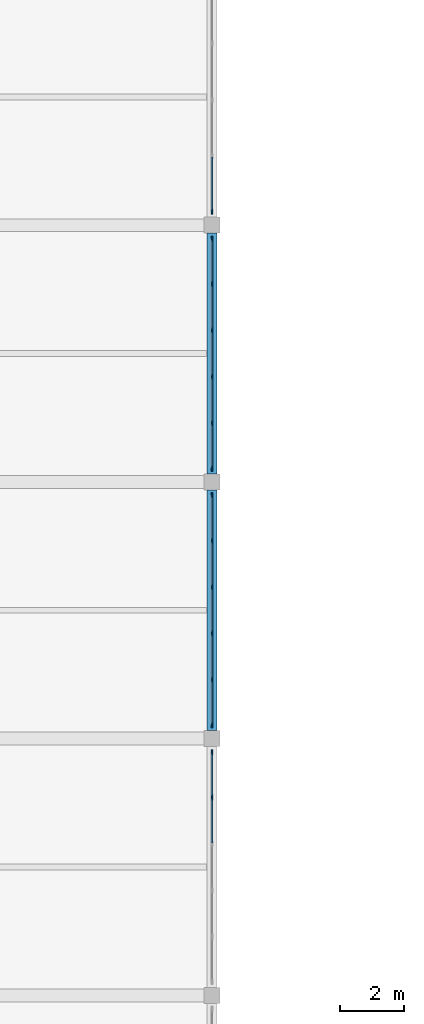
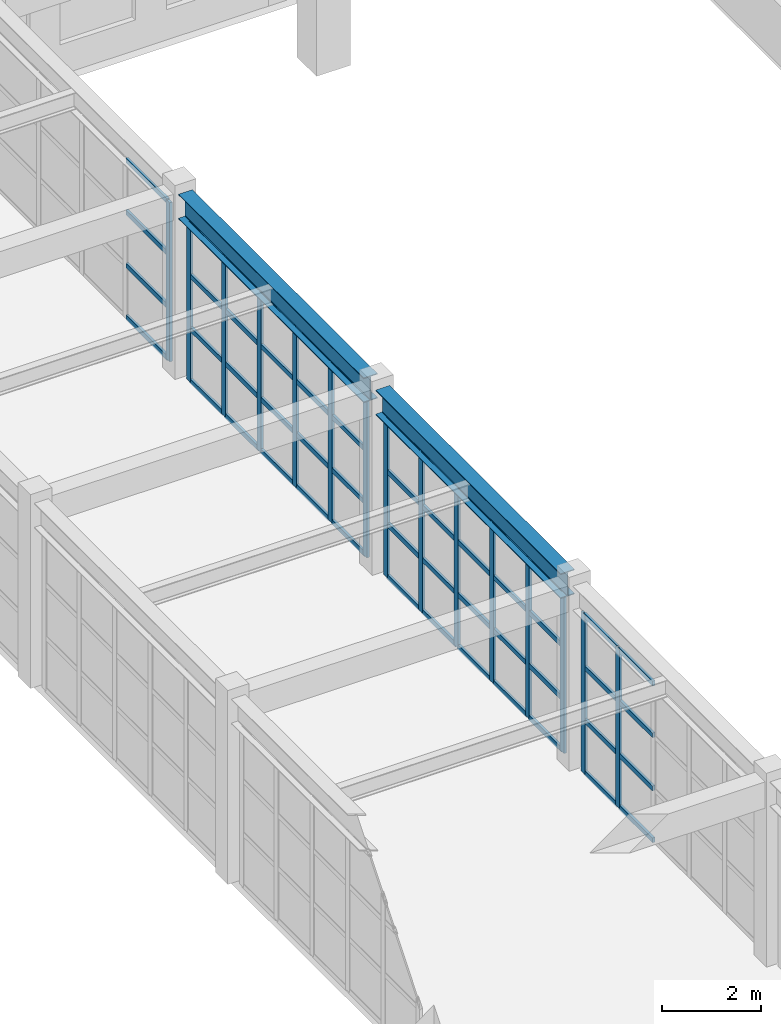
# One storey, part 25 of 59: 67 members, 2 beams, 4 elements without a shape of their own.
"""IFC4 building model written with IfcOpenShell, lengths in metres."""

from ifc_helpers import new_model, si_unit, direction, frame, origin, origin_2d, place, context, subcontext, project, spatial, rectangle, i_section, extrude, material, material_profile, profile_set, type_object, element, aggregate, save


model = new_model("IFC4")

# Units and contexts
model_context = context("Model", 3, precision=1e-05, world=origin(), true_north=direction((0.0, 1.0)))
body_context = subcontext(model_context, "Body", "Model", "MODEL_VIEW")
ifc_project = project(units=[si_unit("LENGTHUNIT", "METRE"), si_unit("AREAUNIT", "SQUARE_METRE"), si_unit("VOLUMEUNIT", "CUBIC_METRE"), si_unit("PLANEANGLEUNIT", "RADIAN"), si_unit("MASSUNIT", "GRAM", prefix="KILO")], contexts=[model_context])

# Site, building, storey
site_placement = place(None, origin())
site = spatial("IfcSite", under=ifc_project, at=site_placement, CompositionType="ELEMENT")
building_placement = place(site_placement, origin())
building = spatial("IfcBuilding", under=site, at=building_placement, Name="Serraluz Foothill Cableway Terminal", CompositionType="ELEMENT")
storey_placement = place(building_placement, frame((0.0, 0.0, 4.800048828125)))
storey = spatial("IfcBuildingStorey", under=building, at=storey_placement, Name="L01", CompositionType="ELEMENT", Elevation=4.800048828125)

# Beams
ifc_material_1 = material(Name="Steel ASTM A992 Grade 50", Category="steel")
ifc_material_profile_1 = material_profile(ifc_material_1, i_section(OverallWidth=0.324951171875, OverallDepth=0.615966796875, WebThickness=0.013916015625, FlangeThickness=0.021484375, FilletRadius=0.01806640625, at=origin_2d()), Name="W24X117")
ifc_profile_set_1 = profile_set([ifc_material_profile_1], Name="Steel ASTM A992 Grade 50")
beam_type = type_object("IfcBeamType", Name="TYP-BM-W24X117", PredefinedType="BEAM", material=ifc_profile_set_1)
for number, where, z_axis, x_axis, name in (
    (1, (128.0, 32.24609375, 4.251953125), (0.0, 1.0, 0.0), (-1.0, 0.0, 0.0), "Transverse Girder BM-Y-L01-0284"),
    (2, (128.0, 40.24609375, 4.251953125), (0.0, 1.0, 0.0), (-1.0, 0.0, 0.0), "Transverse Girder BM-Y-L01-0285"),
):
    element("IfcBeam", number, at=place(storey_placement, frame(where, z_axis=z_axis, x_axis=x_axis)), inside=storey, type_object=beam_type, Name=name, PredefinedType="BEAM", context=body_context, shape_type="SweptSolid", body=[
        extrude(i_section(OverallWidth=0.324951171875, OverallDepth=0.615966796875, WebThickness=0.013916015625, FlangeThickness=0.021484375, FilletRadius=0.01806640625, at=origin_2d()), origin(), (0.0, 0.0, 1.0), 7.5078125),
    ])

# Curtain wall, members
ifc_material_2 = material(Name="Architectural bronze alloy C28000", Category="aluminium")
curtain_wall_type = type_object("IfcCurtainWallType", Name="TYP-CW-710X420", PredefinedType="NOTDEFINED", material=ifc_material_2)
curtain_wall_1_placement = place(storey_placement, origin())
curtain_wall_1 = element("IfcCurtainWall", 3, at=curtain_wall_1_placement, inside=storey, type_object=curtain_wall_type, Name="Ribbed Glazed Curtain Wall CW-CLE-L01-24", PredefinedType="NOTDEFINED")
ifc_material_profile_2 = material_profile(ifc_material_2, rectangle(XDim=0.06005859375, YDim=0.159912109375, at=origin_2d()), Name="ALU MULLION 60x160")
ifc_profile_set_2 = profile_set([ifc_material_profile_2], Name="Architectural bronze alloy C28000")
member_type_1 = type_object("IfcMemberType", Name="TYP-CW-MUL-60X160", PredefinedType="MULLION", material=ifc_profile_set_2)
member_1_placement = place(storey_placement, frame((128.0, 31.580078125, 0.0), z_axis=(0.0, 0.0, 1.0), x_axis=(1.0, 0.0, 0.0)))
member_1 = element("IfcMember", 4, at=member_1_placement, type_object=member_type_1, Name="CW-01 mullion 1", PredefinedType="MULLION", context=body_context, shape_type="SweptSolid", body=[
    extrude(rectangle(XDim=0.06005859375, YDim=0.159912109375, at=origin_2d()), origin(), (0.0, 0.0, 1.0), 3.94384765625),
])
member_2_placement = place(storey_placement, frame((128.0, 30.166015625, 0.0), z_axis=(0.0, 0.0, 1.0), x_axis=(1.0, 0.0, 0.0)))
member_2 = element("IfcMember", 5, at=member_2_placement, type_object=member_type_1, Name="CW-01 mullion 2", PredefinedType="MULLION", context=body_context, shape_type="SweptSolid", body=[
    extrude(rectangle(XDim=0.06005859375, YDim=0.159912109375, at=origin_2d()), origin(), (0.0, 0.0, 1.0), 3.94384765625),
])

curtain_wall_2_placement = place(storey_placement, origin())
curtain_wall_2 = element("IfcCurtainWall", 6, at=curtain_wall_2_placement, inside=storey, type_object=curtain_wall_type, Name="Ribbed Glazed Curtain Wall CW-CLE-L01-32", PredefinedType="NOTDEFINED")
member_3_placement = place(storey_placement, frame((128.0, 39.580078125, 0.0), z_axis=(0.0, 0.0, 1.0), x_axis=(1.0, 0.0, 0.0)))
member_3 = element("IfcMember", 7, at=member_3_placement, type_object=member_type_1, Name="CW-01 mullion 1", PredefinedType="MULLION", context=body_context, shape_type="SweptSolid", body=[
    extrude(rectangle(XDim=0.06005859375, YDim=0.159912109375, at=origin_2d()), origin(), (0.0, 0.0, 1.0), 3.94384765625),
])
member_4_placement = place(storey_placement, frame((128.0, 38.166015625, 0.0), z_axis=(0.0, 0.0, 1.0), x_axis=(1.0, 0.0, 0.0)))
member_4 = element("IfcMember", 8, at=member_4_placement, type_object=member_type_1, Name="CW-01 mullion 2", PredefinedType="MULLION", context=body_context, shape_type="SweptSolid", body=[
    extrude(rectangle(XDim=0.06005859375, YDim=0.159912109375, at=origin_2d()), origin(), (0.0, 0.0, 1.0), 3.94384765625),
])
member_5_placement = place(storey_placement, frame((128.0, 36.721923828125, 0.0), z_axis=(0.0, 0.0, 1.0), x_axis=(1.0, 0.0, 0.0)))
member_5 = element("IfcMember", 9, at=member_5_placement, type_object=member_type_1, Name="CW-01 mullion 3", PredefinedType="MULLION", context=body_context, shape_type="SweptSolid", body=[
    extrude(rectangle(XDim=0.06005859375, YDim=0.159912109375, at=origin_2d()), origin(), (0.0, 0.0, 1.0), 3.94384765625),
])
member_6_placement = place(storey_placement, frame((128.0, 35.278076171875, 0.0), z_axis=(0.0, 0.0, 1.0), x_axis=(1.0, 0.0, 0.0)))
member_6 = element("IfcMember", 10, at=member_6_placement, type_object=member_type_1, Name="CW-01 mullion 4", PredefinedType="MULLION", context=body_context, shape_type="SweptSolid", body=[
    extrude(rectangle(XDim=0.06005859375, YDim=0.159912109375, at=origin_2d()), origin(), (0.0, 0.0, 1.0), 3.94384765625),
])
member_7_placement = place(storey_placement, frame((128.0, 33.833984375, 0.0), z_axis=(0.0, 0.0, 1.0), x_axis=(1.0, 0.0, 0.0)))
member_7 = element("IfcMember", 11, at=member_7_placement, type_object=member_type_1, Name="CW-01 mullion 5", PredefinedType="MULLION", context=body_context, shape_type="SweptSolid", body=[
    extrude(rectangle(XDim=0.06005859375, YDim=0.159912109375, at=origin_2d()), origin(), (0.0, 0.0, 1.0), 3.94384765625),
])
member_8_placement = place(storey_placement, frame((128.0, 32.419921875, 0.0), z_axis=(0.0, 0.0, 1.0), x_axis=(1.0, 0.0, 0.0)))
member_8 = element("IfcMember", 12, at=member_8_placement, type_object=member_type_1, Name="CW-01 mullion 6", PredefinedType="MULLION", context=body_context, shape_type="SweptSolid", body=[
    extrude(rectangle(XDim=0.06005859375, YDim=0.159912109375, at=origin_2d()), origin(), (0.0, 0.0, 1.0), 3.94384765625),
])

curtain_wall_3_placement = place(storey_placement, origin())
curtain_wall_3 = element("IfcCurtainWall", 13, at=curtain_wall_3_placement, inside=storey, type_object=curtain_wall_type, Name="Ribbed Glazed Curtain Wall CW-CLE-L01-40", PredefinedType="NOTDEFINED")
member_9_placement = place(storey_placement, frame((128.0, 47.580078125, 0.0), z_axis=(0.0, 0.0, 1.0), x_axis=(1.0, 0.0, 0.0)))
member_9 = element("IfcMember", 14, at=member_9_placement, type_object=member_type_1, Name="CW-01 mullion 1", PredefinedType="MULLION", context=body_context, shape_type="SweptSolid", body=[
    extrude(rectangle(XDim=0.06005859375, YDim=0.159912109375, at=origin_2d()), origin(), (0.0, 0.0, 1.0), 3.94384765625),
])
member_10_placement = place(storey_placement, frame((128.0, 46.166015625, 0.0), z_axis=(0.0, 0.0, 1.0), x_axis=(1.0, 0.0, 0.0)))
member_10 = element("IfcMember", 15, at=member_10_placement, type_object=member_type_1, Name="CW-01 mullion 2", PredefinedType="MULLION", context=body_context, shape_type="SweptSolid", body=[
    extrude(rectangle(XDim=0.06005859375, YDim=0.159912109375, at=origin_2d()), origin(), (0.0, 0.0, 1.0), 3.94384765625),
])
member_11_placement = place(storey_placement, frame((128.0, 44.721923828125, 0.0), z_axis=(0.0, 0.0, 1.0), x_axis=(1.0, 0.0, 0.0)))
member_11 = element("IfcMember", 16, at=member_11_placement, type_object=member_type_1, Name="CW-01 mullion 3", PredefinedType="MULLION", context=body_context, shape_type="SweptSolid", body=[
    extrude(rectangle(XDim=0.06005859375, YDim=0.159912109375, at=origin_2d()), origin(), (0.0, 0.0, 1.0), 3.94384765625),
])
member_12_placement = place(storey_placement, frame((128.0, 43.278076171875, 0.0), z_axis=(0.0, 0.0, 1.0), x_axis=(1.0, 0.0, 0.0)))
member_12 = element("IfcMember", 17, at=member_12_placement, type_object=member_type_1, Name="CW-01 mullion 4", PredefinedType="MULLION", context=body_context, shape_type="SweptSolid", body=[
    extrude(rectangle(XDim=0.06005859375, YDim=0.159912109375, at=origin_2d()), origin(), (0.0, 0.0, 1.0), 3.94384765625),
])
member_13_placement = place(storey_placement, frame((128.0, 41.833984375, 0.0), z_axis=(0.0, 0.0, 1.0), x_axis=(1.0, 0.0, 0.0)))
member_13 = element("IfcMember", 18, at=member_13_placement, type_object=member_type_1, Name="CW-01 mullion 5", PredefinedType="MULLION", context=body_context, shape_type="SweptSolid", body=[
    extrude(rectangle(XDim=0.06005859375, YDim=0.159912109375, at=origin_2d()), origin(), (0.0, 0.0, 1.0), 3.94384765625),
])
member_14_placement = place(storey_placement, frame((128.0, 40.419921875, 0.0), z_axis=(0.0, 0.0, 1.0), x_axis=(1.0, 0.0, 0.0)))
member_14 = element("IfcMember", 19, at=member_14_placement, type_object=member_type_1, Name="CW-01 mullion 6", PredefinedType="MULLION", context=body_context, shape_type="SweptSolid", body=[
    extrude(rectangle(XDim=0.06005859375, YDim=0.159912109375, at=origin_2d()), origin(), (0.0, 0.0, 1.0), 3.94384765625),
])

# Curtain wall, member
curtain_wall_4_placement = place(storey_placement, origin())
curtain_wall_4 = element("IfcCurtainWall", 20, at=curtain_wall_4_placement, inside=storey, type_object=curtain_wall_type, Name="Ribbed Glazed Curtain Wall CW-CLE-L01-48", PredefinedType="NOTDEFINED")
member_15_placement = place(storey_placement, frame((128.0, 48.419921875, 0.0), z_axis=(0.0, 0.0, 1.0), x_axis=(1.0, 0.0, 0.0)))
member_15 = element("IfcMember", 21, at=member_15_placement, type_object=member_type_1, Name="CW-01 mullion 5", PredefinedType="MULLION", context=body_context, shape_type="SweptSolid", body=[
    extrude(rectangle(XDim=0.06005859375, YDim=0.159912109375, at=origin_2d()), origin(), (0.0, 0.0, 1.0), 3.94384765625),
])

# Member
ifc_material_profile_3 = material_profile(ifc_material_2, rectangle(XDim=0.06005859375, YDim=0.1201171875, at=origin_2d()), Name="ALU TRANSOM 60x120")
ifc_profile_set_3 = profile_set([ifc_material_profile_3], Name="Architectural bronze alloy C28000")
member_type_2 = type_object("IfcMemberType", Name="TYP-CW-TRN-60X120", PredefinedType="USERDEFINED", material=ifc_profile_set_3)
member_16_placement = place(storey_placement, frame((128.0, 31.550048828125, 0.030029296875), z_axis=(0.0, -1.0, 0.0), x_axis=(1.0, 0.0, 0.0)))
member_16 = element("IfcMember", 22, at=member_16_placement, type_object=member_type_2, Name="CW-01 transom 1.1", ObjectType="TRANSOM", PredefinedType="USERDEFINED", context=body_context, shape_type="SweptSolid", body=[
    extrude(rectangle(XDim=0.06005859375, YDim=0.1201171875, at=origin_2d()), origin(), (0.0, 0.0, 1.0), 1.35400390625),
])

member_17_placement = place(storey_placement, frame((128.0, 31.550048828125, 1.314697265625), z_axis=(0.0, -1.0, 0.0), x_axis=(1.0, 0.0, 0.0)))
member_17 = element("IfcMember", 23, at=member_17_placement, type_object=member_type_2, Name="CW-01 transom 1.2", ObjectType="TRANSOM", PredefinedType="USERDEFINED", context=body_context, shape_type="SweptSolid", body=[
    extrude(rectangle(XDim=0.06005859375, YDim=0.1201171875, at=origin_2d()), origin(), (0.0, 0.0, 1.0), 1.35400390625),
])

member_18_placement = place(storey_placement, frame((128.0, 31.550048828125, 2.629150390625), z_axis=(0.0, -1.0, 0.0), x_axis=(1.0, 0.0, 0.0)))
member_18 = element("IfcMember", 24, at=member_18_placement, type_object=member_type_2, Name="CW-01 transom 1.3", ObjectType="TRANSOM", PredefinedType="USERDEFINED", context=body_context, shape_type="SweptSolid", body=[
    extrude(rectangle(XDim=0.06005859375, YDim=0.1201171875, at=origin_2d()), origin(), (0.0, 0.0, 1.0), 1.35400390625),
])

member_19_placement = place(storey_placement, frame((128.0, 31.550048828125, 3.9140625), z_axis=(0.0, -1.0, 0.0), x_axis=(1.0, 0.0, 0.0)))
member_19 = element("IfcMember", 25, at=member_19_placement, type_object=member_type_2, Name="CW-01 transom 1.4", ObjectType="TRANSOM", PredefinedType="USERDEFINED", context=body_context, shape_type="SweptSolid", body=[
    extrude(rectangle(XDim=0.06005859375, YDim=0.1201171875, at=origin_2d()), origin(), (0.0, 0.0, 1.0), 1.35400390625),
])

member_20_placement = place(storey_placement, frame((128.0, 30.135986328125, 0.030029296875), z_axis=(0.0, -1.0, 0.0), x_axis=(1.0, 0.0, 0.0)))
member_20 = element("IfcMember", 26, at=member_20_placement, type_object=member_type_2, Name="CW-01 transom 2.1", ObjectType="TRANSOM", PredefinedType="USERDEFINED", context=body_context, shape_type="SweptSolid", body=[
    extrude(rectangle(XDim=0.06005859375, YDim=0.1201171875, at=origin_2d()), origin(), (0.0, 0.0, 1.0), 1.384033203125),
])

member_21_placement = place(storey_placement, frame((128.0, 30.135986328125, 1.314697265625), z_axis=(0.0, -1.0, 0.0), x_axis=(1.0, 0.0, 0.0)))
member_21 = element("IfcMember", 27, at=member_21_placement, type_object=member_type_2, Name="CW-01 transom 2.2", ObjectType="TRANSOM", PredefinedType="USERDEFINED", context=body_context, shape_type="SweptSolid", body=[
    extrude(rectangle(XDim=0.06005859375, YDim=0.1201171875, at=origin_2d()), origin(), (0.0, 0.0, 1.0), 1.384033203125),
])

member_22_placement = place(storey_placement, frame((128.0, 30.135986328125, 2.629150390625), z_axis=(0.0, -1.0, 0.0), x_axis=(1.0, 0.0, 0.0)))
member_22 = element("IfcMember", 28, at=member_22_placement, type_object=member_type_2, Name="CW-01 transom 2.3", ObjectType="TRANSOM", PredefinedType="USERDEFINED", context=body_context, shape_type="SweptSolid", body=[
    extrude(rectangle(XDim=0.06005859375, YDim=0.1201171875, at=origin_2d()), origin(), (0.0, 0.0, 1.0), 1.384033203125),
])

member_23_placement = place(storey_placement, frame((128.0, 30.135986328125, 3.9140625), z_axis=(0.0, -1.0, 0.0), x_axis=(1.0, 0.0, 0.0)))
member_23 = element("IfcMember", 29, at=member_23_placement, type_object=member_type_2, Name="CW-01 transom 2.4", ObjectType="TRANSOM", PredefinedType="USERDEFINED", context=body_context, shape_type="SweptSolid", body=[
    extrude(rectangle(XDim=0.06005859375, YDim=0.1201171875, at=origin_2d()), origin(), (0.0, 0.0, 1.0), 1.384033203125),
])

aggregate(curtain_wall_1, [member_1, member_2, member_16, member_17, member_18, member_19, member_20, member_21, member_22, member_23])

member_24_placement = place(storey_placement, frame((128.0, 39.550048828125, 0.030029296875), z_axis=(0.0, -1.0, 0.0), x_axis=(1.0, 0.0, 0.0)))
member_24 = element("IfcMember", 30, at=member_24_placement, type_object=member_type_2, Name="CW-01 transom 1.1", ObjectType="TRANSOM", PredefinedType="USERDEFINED", context=body_context, shape_type="SweptSolid", body=[
    extrude(rectangle(XDim=0.06005859375, YDim=0.1201171875, at=origin_2d()), origin(), (0.0, 0.0, 1.0), 1.35400390625),
])

member_25_placement = place(storey_placement, frame((128.0, 39.550048828125, 1.314697265625), z_axis=(0.0, -1.0, 0.0), x_axis=(1.0, 0.0, 0.0)))
member_25 = element("IfcMember", 31, at=member_25_placement, type_object=member_type_2, Name="CW-01 transom 1.2", ObjectType="TRANSOM", PredefinedType="USERDEFINED", context=body_context, shape_type="SweptSolid", body=[
    extrude(rectangle(XDim=0.06005859375, YDim=0.1201171875, at=origin_2d()), origin(), (0.0, 0.0, 1.0), 1.35400390625),
])

member_26_placement = place(storey_placement, frame((128.0, 39.550048828125, 2.629150390625), z_axis=(0.0, -1.0, 0.0), x_axis=(1.0, 0.0, 0.0)))
member_26 = element("IfcMember", 32, at=member_26_placement, type_object=member_type_2, Name="CW-01 transom 1.3", ObjectType="TRANSOM", PredefinedType="USERDEFINED", context=body_context, shape_type="SweptSolid", body=[
    extrude(rectangle(XDim=0.06005859375, YDim=0.1201171875, at=origin_2d()), origin(), (0.0, 0.0, 1.0), 1.35400390625),
])

member_27_placement = place(storey_placement, frame((128.0, 39.550048828125, 3.9140625), z_axis=(0.0, -1.0, 0.0), x_axis=(1.0, 0.0, 0.0)))
member_27 = element("IfcMember", 33, at=member_27_placement, type_object=member_type_2, Name="CW-01 transom 1.4", ObjectType="TRANSOM", PredefinedType="USERDEFINED", context=body_context, shape_type="SweptSolid", body=[
    extrude(rectangle(XDim=0.06005859375, YDim=0.1201171875, at=origin_2d()), origin(), (0.0, 0.0, 1.0), 1.35400390625),
])

member_28_placement = place(storey_placement, frame((128.0, 38.135986328125, 0.030029296875), z_axis=(0.0, -1.0, 0.0), x_axis=(1.0, 0.0, 0.0)))
member_28 = element("IfcMember", 34, at=member_28_placement, type_object=member_type_2, Name="CW-01 transom 2.1", ObjectType="TRANSOM", PredefinedType="USERDEFINED", context=body_context, shape_type="SweptSolid", body=[
    extrude(rectangle(XDim=0.06005859375, YDim=0.1201171875, at=origin_2d()), origin(), (0.0, 0.0, 1.0), 1.384033203125),
])

member_29_placement = place(storey_placement, frame((128.0, 38.135986328125, 1.314697265625), z_axis=(0.0, -1.0, 0.0), x_axis=(1.0, 0.0, 0.0)))
member_29 = element("IfcMember", 35, at=member_29_placement, type_object=member_type_2, Name="CW-01 transom 2.2", ObjectType="TRANSOM", PredefinedType="USERDEFINED", context=body_context, shape_type="SweptSolid", body=[
    extrude(rectangle(XDim=0.06005859375, YDim=0.1201171875, at=origin_2d()), origin(), (0.0, 0.0, 1.0), 1.384033203125),
])

member_30_placement = place(storey_placement, frame((128.0, 38.135986328125, 2.629150390625), z_axis=(0.0, -1.0, 0.0), x_axis=(1.0, 0.0, 0.0)))
member_30 = element("IfcMember", 36, at=member_30_placement, type_object=member_type_2, Name="CW-01 transom 2.3", ObjectType="TRANSOM", PredefinedType="USERDEFINED", context=body_context, shape_type="SweptSolid", body=[
    extrude(rectangle(XDim=0.06005859375, YDim=0.1201171875, at=origin_2d()), origin(), (0.0, 0.0, 1.0), 1.384033203125),
])

member_31_placement = place(storey_placement, frame((128.0, 38.135986328125, 3.9140625), z_axis=(0.0, -1.0, 0.0), x_axis=(1.0, 0.0, 0.0)))
member_31 = element("IfcMember", 37, at=member_31_placement, type_object=member_type_2, Name="CW-01 transom 2.4", ObjectType="TRANSOM", PredefinedType="USERDEFINED", context=body_context, shape_type="SweptSolid", body=[
    extrude(rectangle(XDim=0.06005859375, YDim=0.1201171875, at=origin_2d()), origin(), (0.0, 0.0, 1.0), 1.384033203125),
])

member_32_placement = place(storey_placement, frame((128.0, 36.69189453125, 0.030029296875), z_axis=(0.0, -1.0, 0.0), x_axis=(1.0, 0.0, 0.0)))
member_32 = element("IfcMember", 38, at=member_32_placement, type_object=member_type_2, Name="CW-01 transom 3.1", ObjectType="TRANSOM", PredefinedType="USERDEFINED", context=body_context, shape_type="SweptSolid", body=[
    extrude(rectangle(XDim=0.06005859375, YDim=0.1201171875, at=origin_2d()), origin(), (0.0, 0.0, 1.0), 1.3837890625),
])

member_33_placement = place(storey_placement, frame((128.0, 36.69189453125, 1.314697265625), z_axis=(0.0, -1.0, 0.0), x_axis=(1.0, 0.0, 0.0)))
member_33 = element("IfcMember", 39, at=member_33_placement, type_object=member_type_2, Name="CW-01 transom 3.2", ObjectType="TRANSOM", PredefinedType="USERDEFINED", context=body_context, shape_type="SweptSolid", body=[
    extrude(rectangle(XDim=0.06005859375, YDim=0.1201171875, at=origin_2d()), origin(), (0.0, 0.0, 1.0), 1.3837890625),
])

member_34_placement = place(storey_placement, frame((128.0, 36.69189453125, 2.629150390625), z_axis=(0.0, -1.0, 0.0), x_axis=(1.0, 0.0, 0.0)))
member_34 = element("IfcMember", 40, at=member_34_placement, type_object=member_type_2, Name="CW-01 transom 3.3", ObjectType="TRANSOM", PredefinedType="USERDEFINED", context=body_context, shape_type="SweptSolid", body=[
    extrude(rectangle(XDim=0.06005859375, YDim=0.1201171875, at=origin_2d()), origin(), (0.0, 0.0, 1.0), 1.3837890625),
])

member_35_placement = place(storey_placement, frame((128.0, 36.69189453125, 3.9140625), z_axis=(0.0, -1.0, 0.0), x_axis=(1.0, 0.0, 0.0)))
member_35 = element("IfcMember", 41, at=member_35_placement, type_object=member_type_2, Name="CW-01 transom 3.4", ObjectType="TRANSOM", PredefinedType="USERDEFINED", context=body_context, shape_type="SweptSolid", body=[
    extrude(rectangle(XDim=0.06005859375, YDim=0.1201171875, at=origin_2d()), origin(), (0.0, 0.0, 1.0), 1.3837890625),
])

member_36_placement = place(storey_placement, frame((128.0, 35.248046875, 0.030029296875), z_axis=(0.0, -1.0, 0.0), x_axis=(1.0, 0.0, 0.0)))
member_36 = element("IfcMember", 42, at=member_36_placement, type_object=member_type_2, Name="CW-01 transom 4.1", ObjectType="TRANSOM", PredefinedType="USERDEFINED", context=body_context, shape_type="SweptSolid", body=[
    extrude(rectangle(XDim=0.06005859375, YDim=0.1201171875, at=origin_2d()), origin(), (0.0, 0.0, 1.0), 1.384033203125),
])

member_37_placement = place(storey_placement, frame((128.0, 35.248046875, 1.314697265625), z_axis=(0.0, -1.0, 0.0), x_axis=(1.0, 0.0, 0.0)))
member_37 = element("IfcMember", 43, at=member_37_placement, type_object=member_type_2, Name="CW-01 transom 4.2", ObjectType="TRANSOM", PredefinedType="USERDEFINED", context=body_context, shape_type="SweptSolid", body=[
    extrude(rectangle(XDim=0.06005859375, YDim=0.1201171875, at=origin_2d()), origin(), (0.0, 0.0, 1.0), 1.384033203125),
])

member_38_placement = place(storey_placement, frame((128.0, 35.248046875, 2.629150390625), z_axis=(0.0, -1.0, 0.0), x_axis=(1.0, 0.0, 0.0)))
member_38 = element("IfcMember", 44, at=member_38_placement, type_object=member_type_2, Name="CW-01 transom 4.3", ObjectType="TRANSOM", PredefinedType="USERDEFINED", context=body_context, shape_type="SweptSolid", body=[
    extrude(rectangle(XDim=0.06005859375, YDim=0.1201171875, at=origin_2d()), origin(), (0.0, 0.0, 1.0), 1.384033203125),
])

member_39_placement = place(storey_placement, frame((128.0, 35.248046875, 3.9140625), z_axis=(0.0, -1.0, 0.0), x_axis=(1.0, 0.0, 0.0)))
member_39 = element("IfcMember", 45, at=member_39_placement, type_object=member_type_2, Name="CW-01 transom 4.4", ObjectType="TRANSOM", PredefinedType="USERDEFINED", context=body_context, shape_type="SweptSolid", body=[
    extrude(rectangle(XDim=0.06005859375, YDim=0.1201171875, at=origin_2d()), origin(), (0.0, 0.0, 1.0), 1.384033203125),
])

member_40_placement = place(storey_placement, frame((128.0, 33.803955078125, 0.030029296875), z_axis=(0.0, -1.0, 0.0), x_axis=(1.0, 0.0, 0.0)))
member_40 = element("IfcMember", 46, at=member_40_placement, type_object=member_type_2, Name="CW-01 transom 5.1", ObjectType="TRANSOM", PredefinedType="USERDEFINED", context=body_context, shape_type="SweptSolid", body=[
    extrude(rectangle(XDim=0.06005859375, YDim=0.1201171875, at=origin_2d()), origin(), (0.0, 0.0, 1.0), 1.35400390625),
])

member_41_placement = place(storey_placement, frame((128.0, 33.803955078125, 1.314697265625), z_axis=(0.0, -1.0, 0.0), x_axis=(1.0, 0.0, 0.0)))
member_41 = element("IfcMember", 47, at=member_41_placement, type_object=member_type_2, Name="CW-01 transom 5.2", ObjectType="TRANSOM", PredefinedType="USERDEFINED", context=body_context, shape_type="SweptSolid", body=[
    extrude(rectangle(XDim=0.06005859375, YDim=0.1201171875, at=origin_2d()), origin(), (0.0, 0.0, 1.0), 1.35400390625),
])

member_42_placement = place(storey_placement, frame((128.0, 33.803955078125, 2.629150390625), z_axis=(0.0, -1.0, 0.0), x_axis=(1.0, 0.0, 0.0)))
member_42 = element("IfcMember", 48, at=member_42_placement, type_object=member_type_2, Name="CW-01 transom 5.3", ObjectType="TRANSOM", PredefinedType="USERDEFINED", context=body_context, shape_type="SweptSolid", body=[
    extrude(rectangle(XDim=0.06005859375, YDim=0.1201171875, at=origin_2d()), origin(), (0.0, 0.0, 1.0), 1.35400390625),
])

member_43_placement = place(storey_placement, frame((128.0, 33.803955078125, 3.9140625), z_axis=(0.0, -1.0, 0.0), x_axis=(1.0, 0.0, 0.0)))
member_43 = element("IfcMember", 49, at=member_43_placement, type_object=member_type_2, Name="CW-01 transom 5.4", ObjectType="TRANSOM", PredefinedType="USERDEFINED", context=body_context, shape_type="SweptSolid", body=[
    extrude(rectangle(XDim=0.06005859375, YDim=0.1201171875, at=origin_2d()), origin(), (0.0, 0.0, 1.0), 1.35400390625),
])

aggregate(curtain_wall_2, [member_3, member_4, member_5, member_6, member_7, member_8, member_24, member_25, member_26, member_27, member_28, member_29, member_30, member_31, member_32, member_33, member_34, member_35, member_36, member_37, member_38, member_39, member_40, member_41, member_42, member_43])

member_44_placement = place(storey_placement, frame((128.0, 47.550048828125, 0.030029296875), z_axis=(0.0, -1.0, 0.0), x_axis=(1.0, 0.0, 0.0)))
member_44 = element("IfcMember", 50, at=member_44_placement, type_object=member_type_2, Name="CW-01 transom 1.1", ObjectType="TRANSOM", PredefinedType="USERDEFINED", context=body_context, shape_type="SweptSolid", body=[
    extrude(rectangle(XDim=0.06005859375, YDim=0.1201171875, at=origin_2d()), origin(), (0.0, 0.0, 1.0), 1.35400390625),
])

member_45_placement = place(storey_placement, frame((128.0, 47.550048828125, 1.314697265625), z_axis=(0.0, -1.0, 0.0), x_axis=(1.0, 0.0, 0.0)))
member_45 = element("IfcMember", 51, at=member_45_placement, type_object=member_type_2, Name="CW-01 transom 1.2", ObjectType="TRANSOM", PredefinedType="USERDEFINED", context=body_context, shape_type="SweptSolid", body=[
    extrude(rectangle(XDim=0.06005859375, YDim=0.1201171875, at=origin_2d()), origin(), (0.0, 0.0, 1.0), 1.35400390625),
])

member_46_placement = place(storey_placement, frame((128.0, 47.550048828125, 2.629150390625), z_axis=(0.0, -1.0, 0.0), x_axis=(1.0, 0.0, 0.0)))
member_46 = element("IfcMember", 52, at=member_46_placement, type_object=member_type_2, Name="CW-01 transom 1.3", ObjectType="TRANSOM", PredefinedType="USERDEFINED", context=body_context, shape_type="SweptSolid", body=[
    extrude(rectangle(XDim=0.06005859375, YDim=0.1201171875, at=origin_2d()), origin(), (0.0, 0.0, 1.0), 1.35400390625),
])

member_47_placement = place(storey_placement, frame((128.0, 47.550048828125, 3.9140625), z_axis=(0.0, -1.0, 0.0), x_axis=(1.0, 0.0, 0.0)))
member_47 = element("IfcMember", 53, at=member_47_placement, type_object=member_type_2, Name="CW-01 transom 1.4", ObjectType="TRANSOM", PredefinedType="USERDEFINED", context=body_context, shape_type="SweptSolid", body=[
    extrude(rectangle(XDim=0.06005859375, YDim=0.1201171875, at=origin_2d()), origin(), (0.0, 0.0, 1.0), 1.35400390625),
])

member_48_placement = place(storey_placement, frame((128.0, 46.135986328125, 0.030029296875), z_axis=(0.0, -1.0, 0.0), x_axis=(1.0, 0.0, 0.0)))
member_48 = element("IfcMember", 54, at=member_48_placement, type_object=member_type_2, Name="CW-01 transom 2.1", ObjectType="TRANSOM", PredefinedType="USERDEFINED", context=body_context, shape_type="SweptSolid", body=[
    extrude(rectangle(XDim=0.06005859375, YDim=0.1201171875, at=origin_2d()), origin(), (0.0, 0.0, 1.0), 1.384033203125),
])

member_49_placement = place(storey_placement, frame((128.0, 46.135986328125, 1.314697265625), z_axis=(0.0, -1.0, 0.0), x_axis=(1.0, 0.0, 0.0)))
member_49 = element("IfcMember", 55, at=member_49_placement, type_object=member_type_2, Name="CW-01 transom 2.2", ObjectType="TRANSOM", PredefinedType="USERDEFINED", context=body_context, shape_type="SweptSolid", body=[
    extrude(rectangle(XDim=0.06005859375, YDim=0.1201171875, at=origin_2d()), origin(), (0.0, 0.0, 1.0), 1.384033203125),
])

member_50_placement = place(storey_placement, frame((128.0, 46.135986328125, 2.629150390625), z_axis=(0.0, -1.0, 0.0), x_axis=(1.0, 0.0, 0.0)))
member_50 = element("IfcMember", 56, at=member_50_placement, type_object=member_type_2, Name="CW-01 transom 2.3", ObjectType="TRANSOM", PredefinedType="USERDEFINED", context=body_context, shape_type="SweptSolid", body=[
    extrude(rectangle(XDim=0.06005859375, YDim=0.1201171875, at=origin_2d()), origin(), (0.0, 0.0, 1.0), 1.384033203125),
])

member_51_placement = place(storey_placement, frame((128.0, 46.135986328125, 3.9140625), z_axis=(0.0, -1.0, 0.0), x_axis=(1.0, 0.0, 0.0)))
member_51 = element("IfcMember", 57, at=member_51_placement, type_object=member_type_2, Name="CW-01 transom 2.4", ObjectType="TRANSOM", PredefinedType="USERDEFINED", context=body_context, shape_type="SweptSolid", body=[
    extrude(rectangle(XDim=0.06005859375, YDim=0.1201171875, at=origin_2d()), origin(), (0.0, 0.0, 1.0), 1.384033203125),
])

member_52_placement = place(storey_placement, frame((128.0, 44.69189453125, 0.030029296875), z_axis=(0.0, -1.0, 0.0), x_axis=(1.0, 0.0, 0.0)))
member_52 = element("IfcMember", 58, at=member_52_placement, type_object=member_type_2, Name="CW-01 transom 3.1", ObjectType="TRANSOM", PredefinedType="USERDEFINED", context=body_context, shape_type="SweptSolid", body=[
    extrude(rectangle(XDim=0.06005859375, YDim=0.1201171875, at=origin_2d()), origin(), (0.0, 0.0, 1.0), 1.3837890625),
])

member_53_placement = place(storey_placement, frame((128.0, 44.69189453125, 1.314697265625), z_axis=(0.0, -1.0, 0.0), x_axis=(1.0, 0.0, 0.0)))
member_53 = element("IfcMember", 59, at=member_53_placement, type_object=member_type_2, Name="CW-01 transom 3.2", ObjectType="TRANSOM", PredefinedType="USERDEFINED", context=body_context, shape_type="SweptSolid", body=[
    extrude(rectangle(XDim=0.06005859375, YDim=0.1201171875, at=origin_2d()), origin(), (0.0, 0.0, 1.0), 1.3837890625),
])

member_54_placement = place(storey_placement, frame((128.0, 44.69189453125, 2.629150390625), z_axis=(0.0, -1.0, 0.0), x_axis=(1.0, 0.0, 0.0)))
member_54 = element("IfcMember", 60, at=member_54_placement, type_object=member_type_2, Name="CW-01 transom 3.3", ObjectType="TRANSOM", PredefinedType="USERDEFINED", context=body_context, shape_type="SweptSolid", body=[
    extrude(rectangle(XDim=0.06005859375, YDim=0.1201171875, at=origin_2d()), origin(), (0.0, 0.0, 1.0), 1.3837890625),
])

member_55_placement = place(storey_placement, frame((128.0, 44.69189453125, 3.9140625), z_axis=(0.0, -1.0, 0.0), x_axis=(1.0, 0.0, 0.0)))
member_55 = element("IfcMember", 61, at=member_55_placement, type_object=member_type_2, Name="CW-01 transom 3.4", ObjectType="TRANSOM", PredefinedType="USERDEFINED", context=body_context, shape_type="SweptSolid", body=[
    extrude(rectangle(XDim=0.06005859375, YDim=0.1201171875, at=origin_2d()), origin(), (0.0, 0.0, 1.0), 1.3837890625),
])

member_56_placement = place(storey_placement, frame((128.0, 43.248046875, 0.030029296875), z_axis=(0.0, -1.0, 0.0), x_axis=(1.0, 0.0, 0.0)))
member_56 = element("IfcMember", 62, at=member_56_placement, type_object=member_type_2, Name="CW-01 transom 4.1", ObjectType="TRANSOM", PredefinedType="USERDEFINED", context=body_context, shape_type="SweptSolid", body=[
    extrude(rectangle(XDim=0.06005859375, YDim=0.1201171875, at=origin_2d()), origin(), (0.0, 0.0, 1.0), 1.384033203125),
])

member_57_placement = place(storey_placement, frame((128.0, 43.248046875, 1.314697265625), z_axis=(0.0, -1.0, 0.0), x_axis=(1.0, 0.0, 0.0)))
member_57 = element("IfcMember", 63, at=member_57_placement, type_object=member_type_2, Name="CW-01 transom 4.2", ObjectType="TRANSOM", PredefinedType="USERDEFINED", context=body_context, shape_type="SweptSolid", body=[
    extrude(rectangle(XDim=0.06005859375, YDim=0.1201171875, at=origin_2d()), origin(), (0.0, 0.0, 1.0), 1.384033203125),
])

member_58_placement = place(storey_placement, frame((128.0, 43.248046875, 2.629150390625), z_axis=(0.0, -1.0, 0.0), x_axis=(1.0, 0.0, 0.0)))
member_58 = element("IfcMember", 64, at=member_58_placement, type_object=member_type_2, Name="CW-01 transom 4.3", ObjectType="TRANSOM", PredefinedType="USERDEFINED", context=body_context, shape_type="SweptSolid", body=[
    extrude(rectangle(XDim=0.06005859375, YDim=0.1201171875, at=origin_2d()), origin(), (0.0, 0.0, 1.0), 1.384033203125),
])

member_59_placement = place(storey_placement, frame((128.0, 43.248046875, 3.9140625), z_axis=(0.0, -1.0, 0.0), x_axis=(1.0, 0.0, 0.0)))
member_59 = element("IfcMember", 65, at=member_59_placement, type_object=member_type_2, Name="CW-01 transom 4.4", ObjectType="TRANSOM", PredefinedType="USERDEFINED", context=body_context, shape_type="SweptSolid", body=[
    extrude(rectangle(XDim=0.06005859375, YDim=0.1201171875, at=origin_2d()), origin(), (0.0, 0.0, 1.0), 1.384033203125),
])

member_60_placement = place(storey_placement, frame((128.0, 41.803955078125, 0.030029296875), z_axis=(0.0, -1.0, 0.0), x_axis=(1.0, 0.0, 0.0)))
member_60 = element("IfcMember", 66, at=member_60_placement, type_object=member_type_2, Name="CW-01 transom 5.1", ObjectType="TRANSOM", PredefinedType="USERDEFINED", context=body_context, shape_type="SweptSolid", body=[
    extrude(rectangle(XDim=0.06005859375, YDim=0.1201171875, at=origin_2d()), origin(), (0.0, 0.0, 1.0), 1.35400390625),
])

member_61_placement = place(storey_placement, frame((128.0, 41.803955078125, 1.314697265625), z_axis=(0.0, -1.0, 0.0), x_axis=(1.0, 0.0, 0.0)))
member_61 = element("IfcMember", 67, at=member_61_placement, type_object=member_type_2, Name="CW-01 transom 5.2", ObjectType="TRANSOM", PredefinedType="USERDEFINED", context=body_context, shape_type="SweptSolid", body=[
    extrude(rectangle(XDim=0.06005859375, YDim=0.1201171875, at=origin_2d()), origin(), (0.0, 0.0, 1.0), 1.35400390625),
])

member_62_placement = place(storey_placement, frame((128.0, 41.803955078125, 2.629150390625), z_axis=(0.0, -1.0, 0.0), x_axis=(1.0, 0.0, 0.0)))
member_62 = element("IfcMember", 68, at=member_62_placement, type_object=member_type_2, Name="CW-01 transom 5.3", ObjectType="TRANSOM", PredefinedType="USERDEFINED", context=body_context, shape_type="SweptSolid", body=[
    extrude(rectangle(XDim=0.06005859375, YDim=0.1201171875, at=origin_2d()), origin(), (0.0, 0.0, 1.0), 1.35400390625),
])

member_63_placement = place(storey_placement, frame((128.0, 41.803955078125, 3.9140625), z_axis=(0.0, -1.0, 0.0), x_axis=(1.0, 0.0, 0.0)))
member_63 = element("IfcMember", 69, at=member_63_placement, type_object=member_type_2, Name="CW-01 transom 5.4", ObjectType="TRANSOM", PredefinedType="USERDEFINED", context=body_context, shape_type="SweptSolid", body=[
    extrude(rectangle(XDim=0.06005859375, YDim=0.1201171875, at=origin_2d()), origin(), (0.0, 0.0, 1.0), 1.35400390625),
])

aggregate(curtain_wall_3, [member_9, member_10, member_11, member_12, member_13, member_14, member_44, member_45, member_46, member_47, member_48, member_49, member_50, member_51, member_52, member_53, member_54, member_55, member_56, member_57, member_58, member_59, member_60, member_61, member_62, member_63])

member_64_placement = place(storey_placement, frame((128.0, 50.121337890625, 0.030029296875), z_axis=(0.0, -1.0, 0.0), x_axis=(1.0, 0.0, 0.0)))
member_64 = element("IfcMember", 70, at=member_64_placement, type_object=member_type_2, Name="CW-01 transom 4.1", ObjectType="TRANSOM", PredefinedType="USERDEFINED", context=body_context, shape_type="SweptSolid", body=[
    extrude(rectangle(XDim=0.06005859375, YDim=0.1201171875, at=origin_2d()), origin(), (0.0, 0.0, 1.0), 1.67138671875),
])

member_65_placement = place(storey_placement, frame((128.0, 50.121337890625, 1.314697265625), z_axis=(0.0, -1.0, 0.0), x_axis=(1.0, 0.0, 0.0)))
member_65 = element("IfcMember", 71, at=member_65_placement, type_object=member_type_2, Name="CW-01 transom 4.2", ObjectType="TRANSOM", PredefinedType="USERDEFINED", context=body_context, shape_type="SweptSolid", body=[
    extrude(rectangle(XDim=0.06005859375, YDim=0.1201171875, at=origin_2d()), origin(), (0.0, 0.0, 1.0), 1.67138671875),
])

member_66_placement = place(storey_placement, frame((128.0, 50.121337890625, 2.629150390625), z_axis=(0.0, -1.0, 0.0), x_axis=(1.0, 0.0, 0.0)))
member_66 = element("IfcMember", 72, at=member_66_placement, type_object=member_type_2, Name="CW-01 transom 4.3", ObjectType="TRANSOM", PredefinedType="USERDEFINED", context=body_context, shape_type="SweptSolid", body=[
    extrude(rectangle(XDim=0.06005859375, YDim=0.1201171875, at=origin_2d()), origin(), (0.0, 0.0, 1.0), 1.67138671875),
])

member_67_placement = place(storey_placement, frame((128.0, 50.121337890625, 3.9140625), z_axis=(0.0, -1.0, 0.0), x_axis=(1.0, 0.0, 0.0)))
member_67 = element("IfcMember", 73, at=member_67_placement, type_object=member_type_2, Name="CW-01 transom 4.4", ObjectType="TRANSOM", PredefinedType="USERDEFINED", context=body_context, shape_type="SweptSolid", body=[
    extrude(rectangle(XDim=0.06005859375, YDim=0.1201171875, at=origin_2d()), origin(), (0.0, 0.0, 1.0), 1.67138671875),
])

aggregate(curtain_wall_4, [member_15, member_64, member_65, member_66, member_67])

save(model, "model.ifc")
